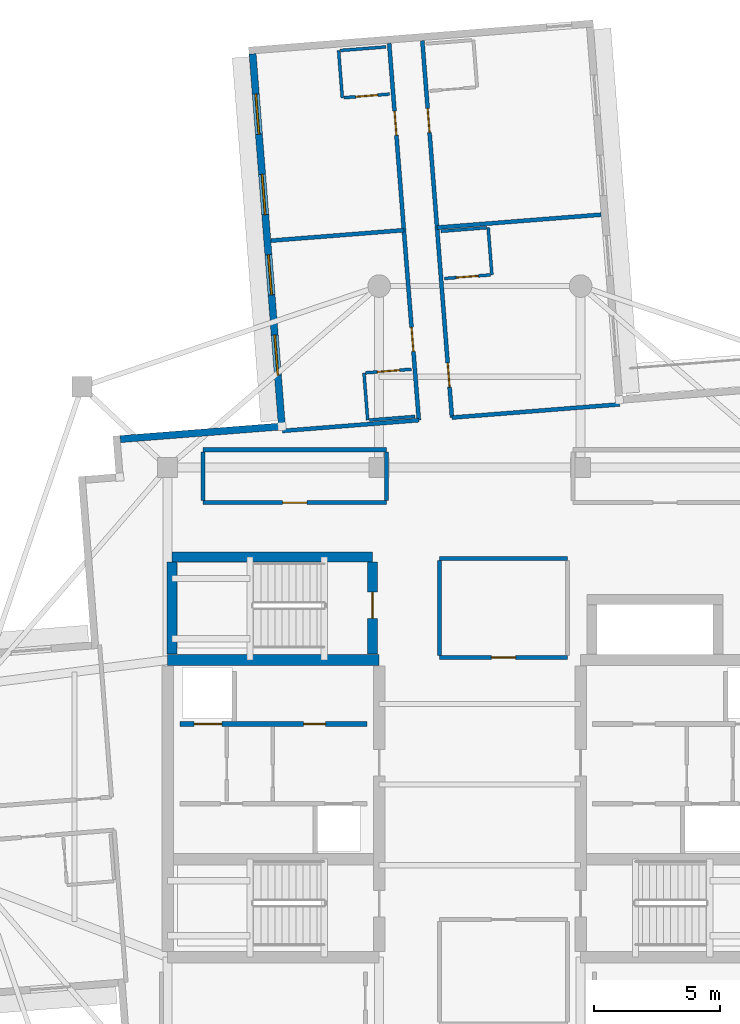
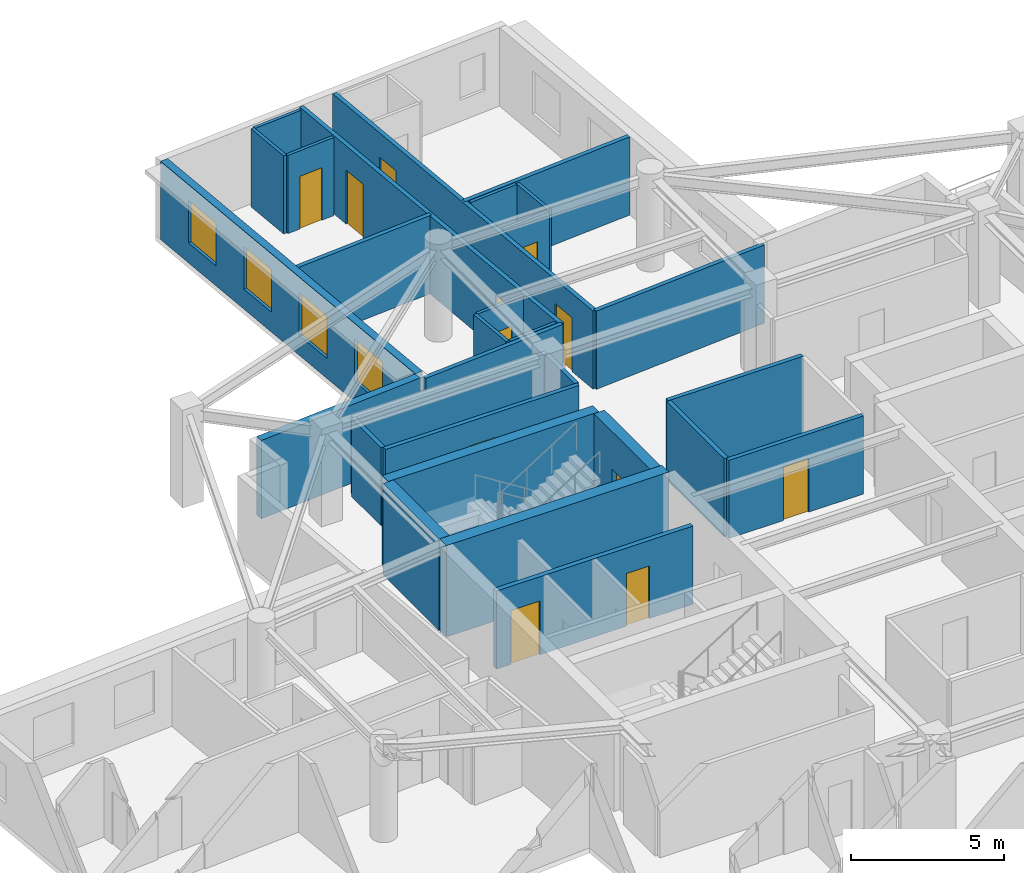
# One storey, part 7 of 13: 29 walls, 12 doors, 4 windows, 16 openings.
"""IFC4 building model written with IfcOpenShell, lengths in metres."""

from ifc_helpers import new_model, si_unit, direction, frame, frame_2d, origin, place, context, subcontext, project, spatial, rectangle, extrude, material, layer, layer_set, type_object, element, fill, save


model = new_model("IFC4")

# Units and contexts
model_context = context("Model", 3, precision=1e-05, world=origin(), true_north=direction((0.0, 1.0)))
body_context = subcontext(model_context, "Body", "Model", "MODEL_VIEW")
ifc_project = project(units=[si_unit("LENGTHUNIT", "METRE"), si_unit("AREAUNIT", "SQUARE_METRE"), si_unit("VOLUMEUNIT", "CUBIC_METRE"), si_unit("PLANEANGLEUNIT", "RADIAN"), si_unit("MASSUNIT", "GRAM", prefix="KILO")], contexts=[model_context])

# Site, building, storey
site_placement = place(None, origin())
site = spatial("IfcSite", under=ifc_project, at=site_placement, CompositionType="ELEMENT")
building_placement = place(site_placement, origin())
building = spatial("IfcBuilding", under=site, at=building_placement, Name="Qingluan Cross Belvedere", CompositionType="ELEMENT")
storey_placement = place(building_placement, frame((0.0, 0.0, 285.0)))
storey = spatial("IfcBuildingStorey", under=building, at=storey_placement, Name="L71", CompositionType="ELEMENT", Elevation=285.0)

# Walls
ifc_material_1 = material(Name="Concrete C50", Category="concrete")
ifc_layer_1 = layer(ifc_material_1, 0.449951171875, Name="CoreShearWall_450")
ifc_layer_set_1 = layer_set([ifc_layer_1], Name="Concrete C50")
wall_type_1 = type_object("IfcWallType", Name="CoreShearWall_450", PredefinedType="SHEAR", material=ifc_layer_set_1)
wall_1_placement = place(storey_placement, frame((-12.39990234375, 4.949951171875, 0.0), z_axis=(0.0, 0.0, 1.0), x_axis=(1.0, 0.0, 0.0)))
element("IfcWall", 1, at=wall_1_placement, inside=storey, type_object=wall_type_1, Name="Split core W shear wall L71-N", PredefinedType="SHEAR", context=body_context, shape_type="SweptSolid", body=[
    extrude(rectangle(XDim=8.39990234375, YDim=0.449951171875, at=frame_2d((4.199951171875, 0.0))), origin(), (0.0, 0.0, 1.0), 3.64990234375),
])
wall_2_placement = place(storey_placement, frame((-12.219970703125, 9.0400390625, 0.0), z_axis=(0.0, 0.0, 1.0), x_axis=(1.0, 0.0, 0.0)))
element("IfcWall", 2, at=wall_2_placement, inside=storey, type_object=wall_type_1, Name="Stair ST3 structural wall N L71", PredefinedType="SHEAR", context=body_context, shape_type="SweptSolid", body=[
    extrude(rectangle(XDim=7.9599609375, YDim=0.39990234375, at=frame_2d((3.97998046875, 0.0))), origin(), (0.0, 0.0, 1.0), 3.64990234375),
])
wall_3_placement = place(storey_placement, frame((-12.219970703125, 5.179931640625, 0.0), z_axis=(0.0, 0.0, 1.0), x_axis=(0.0, 1.0, 0.0)))
element("IfcWall", 3, at=wall_3_placement, inside=storey, type_object=wall_type_1, Name="Stair ST3 structural wall W L71", PredefinedType="SHEAR", context=body_context, shape_type="SweptSolid", body=[
    extrude(rectangle(XDim=3.655029296875, YDim=0.39990234375, at=frame_2d((1.82763671875, 0.0))), origin(), (0.0, 0.0, 1.0), 3.64990234375),
])

# Wall, opening, door
wall_4_placement = place(storey_placement, frame((-4.260009765625, 5.179931640625, 0.0), z_axis=(0.0, 0.0, 1.0), x_axis=(0.0, 1.0, 0.0)))
wall_4 = element("IfcWall", 4, at=wall_4_placement, inside=storey, type_object=wall_type_1, Name="Stair ST3 structural wall E L71", PredefinedType="SHEAR", context=body_context, shape_type="SweptSolid", body=[
    extrude(rectangle(XDim=3.655029296875, YDim=0.39990234375, at=frame_2d((1.82763671875, 0.0))), origin(), (0.0, 0.0, 1.0), 3.64990234375),
])
opening_1_placement = place(wall_4_placement, frame((1.419921875, 0.0, 0.0)))
opening_1 = element("IfcOpeningElement", 5, at=opening_1_placement, cuts=wall_4, Name="Opening FD-B11", PredefinedType="OPENING", context=body_context, shape_type="SweptSolid", body=[
    extrude(rectangle(XDim=1.050048828125, YDim=2.14990234375, at=frame_2d((0.52490234375, 1.074951171875))), frame((0.0, 0.2099609375, 0.0), z_axis=(0.0, -1.0, 0.0), x_axis=(1.0, 0.0, 0.0)), (0.0, 0.0, 1.0), 0.419921875),
])
ifc_material_2 = material(Name="Steel Class B smoke-seal fire door", Category="steel")
door_type_1 = type_object("IfcDoorType", Name="StairLobbyFireDoor_FDB", OperationType="NOTDEFINED", PredefinedType="DOOR", material=ifc_material_2)
door_1_placement = place(opening_1_placement, origin())
door_1 = element("IfcDoor", 6, at=door_1_placement, inside=storey, type_object=door_type_1, Name="Smoke-proof stair ST3 fire door L71", OperationType="SINGLE_SWING_LEFT", OverallHeight=2.14990234375, OverallWidth=1.050048828125, PredefinedType="DOOR", context=body_context, shape_type="SweptSolid", body=[
    extrude(rectangle(XDim=1.050048828125, YDim=2.14990234375, at=frame_2d((0.52490234375, 1.074951171875))), frame((0.0, 0.02490234375, 0.0), z_axis=(0.0, -1.0, 0.0), x_axis=(1.0, 0.0, 0.0)), (0.0, 0.0, 1.0), 0.050048828125),
])
fill(opening_1, door_1)

ifc_material_3 = material(Name="Gypsum plasterboard on steel stud acoustic partition", Category="steel")
ifc_layer_2 = layer(ifc_material_3, 0.159912109375, Name="CorridorPartition_160")
ifc_layer_set_2 = layer_set([ifc_layer_2], Name="Gypsum plasterboard on steel stud acoustic partition")
wall_type_2 = type_object("IfcWallType", Name="CorridorPartition_160", PredefinedType="PARTITIONING", material=ifc_layer_set_2)
wall_5_placement = place(storey_placement, frame((-11.0, 11.199951171875, 0.0), z_axis=(0.0, 0.0, 1.0), x_axis=(1.0, 0.0, 0.0)))
wall_5 = element("IfcWall", 7, at=wall_5_placement, inside=storey, type_object=wall_type_2, Name="Partition L71:q_nw_occ:S", PredefinedType="PARTITIONING", context=body_context, shape_type="SweptSolid", body=[
    extrude(rectangle(XDim=7.300048828125, YDim=0.159912109375, at=frame_2d((3.64990234375, 0.0))), origin(), (0.0, 0.0, 1.0), 3.1201171875),
])
opening_2_placement = place(wall_5_placement, frame((3.169921875, 0.0, 0.0)))
opening_2 = element("IfcOpeningElement", 8, at=opening_2_placement, cuts=wall_5, Name="Opening GD-10", PredefinedType="OPENING", context=body_context, shape_type="SweptSolid", body=[
    extrude(rectangle(XDim=0.9599609375, YDim=2.14990234375, at=frame_2d((0.47998046875, 1.074951171875))), frame((0.0, 0.08984375, 0.0), z_axis=(0.0, -1.0, 0.0), x_axis=(1.0, 0.0, 0.0)), (0.0, 0.0, 1.0), 0.179931640625),
])
ifc_material_4 = material(Name="Timber oak fire-rated acoustic guestroom door", Category="wood")
door_type_2 = type_object("IfcDoorType", Name="GuestEntryDoor_FD60", OperationType="NOTDEFINED", PredefinedType="DOOR", material=ifc_material_4)
door_2_placement = place(opening_2_placement, origin())
door_2 = element("IfcDoor", 9, at=door_2_placement, inside=storey, type_object=door_type_2, Name="Northwest sky reading salon L71 door", OperationType="SINGLE_SWING_RIGHT", OverallHeight=2.14990234375, OverallWidth=0.9599609375, PredefinedType="DOOR", context=body_context, shape_type="SweptSolid", body=[
    extrude(rectangle(XDim=0.9599609375, YDim=2.14990234375, at=frame_2d((0.47998046875, 1.074951171875))), frame((0.0, 0.02490234375, 0.0), z_axis=(0.0, -1.0, 0.0), x_axis=(1.0, 0.0, 0.0)), (0.0, 0.0, 1.0), 0.050048828125),
])
fill(opening_2, door_2)

# Walls
wall_6_placement = place(storey_placement, frame((-11.0, 13.300048828125, 0.0), z_axis=(0.0, 0.0, 1.0), x_axis=(1.0, 0.0, 0.0)))
element("IfcWall", 10, at=wall_6_placement, inside=storey, type_object=wall_type_2, Name="Partition L71:q_nw_occ:N", PredefinedType="PARTITIONING", context=body_context, shape_type="SweptSolid", body=[
    extrude(rectangle(XDim=7.300048828125, YDim=0.159912109375, at=frame_2d((3.64990234375, 0.0))), origin(), (0.0, 0.0, 1.0), 3.1201171875),
])
for number, where, z_axis, x_axis, name in (
    (11, (-11.0, 11.284912109375, 0.0), (0.0, 0.0, 1.0), (0.0, 1.0, 0.0), "Partition L71:q_nw_occ:W"),
    (12, (-3.699951171875, 11.284912109375, 0.0), (0.0, 0.0, 1.0), (0.0, 1.0, 0.0), "Partition L71:q_nw_occ:E"),
):
    element("IfcWall", number, at=place(storey_placement, frame(where, z_axis=z_axis, x_axis=x_axis)), inside=storey, type_object=wall_type_2, Name=name, PredefinedType="PARTITIONING", context=body_context, shape_type="SweptSolid", body=[
        extrude(rectangle(XDim=1.93017578125, YDim=0.159912109375, at=frame_2d((0.965087890625, 0.0))), origin(), (0.0, 0.0, 1.0), 3.1201171875),
    ])

# Wall, opening, door
wall_7_placement = place(storey_placement, frame((-1.60009765625, 5.050048828125, 0.0), z_axis=(0.0, 0.0, 1.0), x_axis=(1.0, 0.0, 0.0)))
wall_7 = element("IfcWall", 13, at=wall_7_placement, inside=storey, type_object=wall_type_2, Name="Partition L71:sky_tea_alcove:S", PredefinedType="PARTITIONING", context=body_context, shape_type="SweptSolid", body=[
    extrude(rectangle(XDim=5.080078125, YDim=0.159912109375, at=frame_2d((2.5400390625, 0.0))), origin(), (0.0, 0.0, 1.0), 3.1201171875),
])
opening_3_placement = place(wall_7_placement, frame((2.06005859375, 0.0, 0.0)))
opening_3 = element("IfcOpeningElement", 14, at=opening_3_placement, cuts=wall_7, Name="Opening GD-10", PredefinedType="OPENING", context=body_context, shape_type="SweptSolid", body=[
    extrude(rectangle(XDim=0.9599609375, YDim=2.14990234375, at=frame_2d((0.47998046875, 1.074951171875))), frame((0.0, 0.08984375, 0.0), z_axis=(0.0, -1.0, 0.0), x_axis=(1.0, 0.0, 0.0)), (0.0, 0.0, 1.0), 0.179931640625),
])
door_3_placement = place(opening_3_placement, origin())
door_3 = element("IfcDoor", 15, at=door_3_placement, inside=storey, type_object=door_type_2, Name="Sky horizon tea salon L71 door", OperationType="SINGLE_SWING_RIGHT", OverallHeight=2.14990234375, OverallWidth=0.9599609375, PredefinedType="DOOR", context=body_context, shape_type="SweptSolid", body=[
    extrude(rectangle(XDim=0.9599609375, YDim=2.14990234375, at=frame_2d((0.47998046875, 1.074951171875))), frame((0.0, 0.02490234375, 0.0), z_axis=(0.0, -1.0, 0.0), x_axis=(1.0, 0.0, 0.0)), (0.0, 0.0, 1.0), 0.050048828125),
])
fill(opening_3, door_3)

# Walls
wall_8_placement = place(storey_placement, frame((-1.60009765625, 8.97998046875, 0.0), z_axis=(0.0, 0.0, 1.0), x_axis=(1.0, 0.0, 0.0)))
element("IfcWall", 16, at=wall_8_placement, inside=storey, type_object=wall_type_2, Name="Partition L71:sky_tea_alcove:N", PredefinedType="PARTITIONING", context=body_context, shape_type="SweptSolid", body=[
    extrude(rectangle(XDim=5.080078125, YDim=0.159912109375, at=frame_2d((2.5400390625, 0.0))), origin(), (0.0, 0.0, 1.0), 3.1201171875),
])
wall_9_placement = place(storey_placement, frame((-1.60009765625, 5.135009765625, 0.0), z_axis=(0.0, 0.0, 1.0), x_axis=(0.0, 1.0, 0.0)))
element("IfcWall", 17, at=wall_9_placement, inside=storey, type_object=wall_type_2, Name="Partition L71:sky_tea_alcove:W", PredefinedType="PARTITIONING", context=body_context, shape_type="SweptSolid", body=[
    extrude(rectangle(XDim=3.760009765625, YDim=0.159912109375, at=frame_2d((1.8798828125, 0.0))), origin(), (0.0, 0.0, 1.0), 3.1201171875),
])

# Wall, openings, doors
wall_10_placement = place(storey_placement, frame((-1.107177734375, 14.578125, 0.0), z_axis=(0.0, 0.0, 1.0), x_axis=(-0.078453666116, 0.996917761038, 0.0)))
wall_10 = element("IfcWall", 18, at=wall_10_placement, inside=storey, type_object=wall_type_2, Name="Partition L71:N:c0", PredefinedType="PARTITIONING", context=body_context, shape_type="SweptSolid", body=[
    extrude(rectangle(XDim=15.011962890625, YDim=0.159912109375, at=frame_2d((7.505859375, 0.0))), origin(), (0.0, 0.0, 1.0), 3.1201171875),
])
opening_4_placement = place(wall_10_placement, frame((1.214111328125, 0.0, 0.0)))
opening_4 = element("IfcOpeningElement", 19, at=opening_4_placement, cuts=wall_10, Name="Opening GD-10", PredefinedType="OPENING", context=body_context, shape_type="SweptSolid", body=[
    extrude(rectangle(XDim=0.9599609375, YDim=2.14990234375, at=frame_2d((0.47998046875, 1.074951171875))), frame((0.0, 0.08984375, 0.0), z_axis=(0.0, -1.0, 0.0), x_axis=(1.0, 0.0, 0.0)), (0.0, 0.0, 1.0), 0.179931640625),
])
opening_5_placement = place(wall_10_placement, frame((11.35302734375, 0.0, 0.0)))
opening_5 = element("IfcOpeningElement", 20, at=opening_5_placement, cuts=wall_10, Name="Opening GD-10", PredefinedType="OPENING", context=body_context, shape_type="SweptSolid", body=[
    extrude(rectangle(XDim=0.9599609375, YDim=2.14990234375, at=frame_2d((0.47998046875, 1.074951171875))), frame((0.0, 0.08984375, 0.0), z_axis=(0.0, -1.0, 0.0), x_axis=(1.0, 0.0, 0.0)), (0.0, 0.0, 1.0), 0.179931640625),
])
door_4_placement = place(opening_4_placement, origin())
door_4 = element("IfcDoor", 21, at=door_4_placement, inside=storey, type_object=door_type_2, Name="Guest entry fire door 7109", OperationType="SINGLE_SWING_RIGHT", OverallHeight=2.14990234375, OverallWidth=0.9599609375, PredefinedType="DOOR", context=body_context, shape_type="SweptSolid", body=[
    extrude(rectangle(XDim=0.9599609375, YDim=2.14990234375, at=frame_2d((0.47998046875, 1.074951171875))), frame((0.0, 0.02490234375, 0.0), z_axis=(0.0, -1.0, 0.0), x_axis=(1.0, 0.0, 0.0)), (0.0, 0.0, 1.0), 0.050048828125),
])
fill(opening_4, door_4)
door_5_placement = place(opening_5_placement, origin())
door_5 = element("IfcDoor", 22, at=door_5_placement, inside=storey, type_object=door_type_2, Name="Guest entry fire door 7110", OperationType="SINGLE_SWING_RIGHT", OverallHeight=2.14990234375, OverallWidth=0.9599609375, PredefinedType="DOOR", context=body_context, shape_type="SweptSolid", body=[
    extrude(rectangle(XDim=0.9599609375, YDim=2.14990234375, at=frame_2d((0.47998046875, 1.074951171875))), frame((0.0, 0.02490234375, 0.0), z_axis=(0.0, -1.0, 0.0), x_axis=(1.0, 0.0, 0.0)), (0.0, 0.0, 1.0), 0.050048828125),
])
fill(opening_5, door_5)

# Walls
wall_11_placement = place(storey_placement, frame((-1.107177734375, 14.578125, 0.0), z_axis=(0.0, 0.0, 1.0), x_axis=(0.996916608894, 0.07846830514, 0.0)))
element("IfcWall", 23, at=wall_11_placement, inside=storey, type_object=wall_type_2, Name="Partition L71:N:s0", PredefinedType="PARTITIONING", context=body_context, shape_type="SweptSolid", body=[
    extrude(rectangle(XDim=6.679931640625, YDim=0.159912109375, at=frame_2d((3.33984375, 0.0))), origin(), (0.0, 0.0, 1.0), 3.1201171875),
])
wall_12_placement = place(storey_placement, frame((-1.700927734375, 22.122802734375, 0.0), z_axis=(0.0, 0.0, 1.0), x_axis=(0.996917719405, 0.07845419515, 0.0)))
element("IfcWall", 24, at=wall_12_placement, inside=storey, type_object=wall_type_2, Name="Partition L71:N:d0_0", PredefinedType="PARTITIONING", context=body_context, shape_type="SweptSolid", body=[
    extrude(rectangle(XDim=6.53173828125, YDim=0.159912109375, at=frame_2d((3.265869140625, 0.0))), origin(), (0.0, 0.0, 1.0), 3.1201171875),
])

# Wall, openings, doors
wall_13_placement = place(storey_placement, frame((-2.423095703125, 14.474609375, 0.0), z_axis=(0.0, 0.0, 1.0), x_axis=(-0.078469829183, 0.996916488934, 0.0)))
wall_13 = element("IfcWall", 25, at=wall_13_placement, inside=storey, type_object=wall_type_2, Name="Partition L71:N:c1", PredefinedType="PARTITIONING", context=body_context, shape_type="SweptSolid", body=[
    extrude(rectangle(XDim=15.011962890625, YDim=0.159912109375, at=frame_2d((7.505859375, 0.0))), origin(), (0.0, 0.0, 1.0), 3.1201171875),
])
opening_6_placement = place(wall_13_placement, frame((2.737060546875, 0.0, 0.0)))
opening_6 = element("IfcOpeningElement", 26, at=opening_6_placement, cuts=wall_13, Name="Opening GD-10", PredefinedType="OPENING", context=body_context, shape_type="SweptSolid", body=[
    extrude(rectangle(XDim=0.9599609375, YDim=2.14990234375, at=frame_2d((0.47998046875, 1.074951171875))), frame((0.0, 0.08984375, 0.0), z_axis=(0.0, -1.0, 0.0), x_axis=(1.0, 0.0, 0.0)), (0.0, 0.0, 1.0), 0.179931640625),
])
opening_7_placement = place(wall_13_placement, frame((11.35302734375, 0.0, 0.0)))
opening_7 = element("IfcOpeningElement", 27, at=opening_7_placement, cuts=wall_13, Name="Opening GD-10", PredefinedType="OPENING", context=body_context, shape_type="SweptSolid", body=[
    extrude(rectangle(XDim=0.9599609375, YDim=2.14990234375, at=frame_2d((0.47998046875, 1.074951171875))), frame((0.0, 0.08984375, 0.0), z_axis=(0.0, -1.0, 0.0), x_axis=(1.0, 0.0, 0.0)), (0.0, 0.0, 1.0), 0.179931640625),
])
door_6_placement = place(opening_6_placement, origin())
door_6 = element("IfcDoor", 28, at=door_6_placement, inside=storey, type_object=door_type_2, Name="Guest entry fire door 7111", OperationType="SINGLE_SWING_RIGHT", OverallHeight=2.14990234375, OverallWidth=0.9599609375, PredefinedType="DOOR", context=body_context, shape_type="SweptSolid", body=[
    extrude(rectangle(XDim=0.9599609375, YDim=2.14990234375, at=frame_2d((0.47998046875, 1.074951171875))), frame((0.0, 0.02490234375, 0.0), z_axis=(0.0, -1.0, 0.0), x_axis=(1.0, 0.0, 0.0)), (0.0, 0.0, 1.0), 0.050048828125),
])
fill(opening_6, door_6)
door_7_placement = place(opening_7_placement, origin())
door_7 = element("IfcDoor", 29, at=door_7_placement, inside=storey, type_object=door_type_2, Name="Guest entry fire door 7112", OperationType="SINGLE_SWING_RIGHT", OverallHeight=2.14990234375, OverallWidth=0.9599609375, PredefinedType="DOOR", context=body_context, shape_type="SweptSolid", body=[
    extrude(rectangle(XDim=0.9599609375, YDim=2.14990234375, at=frame_2d((0.47998046875, 1.074951171875))), frame((0.0, 0.02490234375, 0.0), z_axis=(0.0, -1.0, 0.0), x_axis=(1.0, 0.0, 0.0)), (0.0, 0.0, 1.0), 0.050048828125),
])
fill(opening_7, door_7)

# Walls
wall_14_placement = place(storey_placement, frame((-2.423095703125, 14.474609375, 0.0), z_axis=(0.0, 0.0, 1.0), x_axis=(-0.996914804862, -0.078491221469, 0.0)))
element("IfcWall", 30, at=wall_14_placement, inside=storey, type_object=wall_type_2, Name="Partition L71:N:s1", PredefinedType="PARTITIONING", context=body_context, shape_type="SweptSolid", body=[
    extrude(rectangle(XDim=5.440185546875, YDim=0.159912109375, at=frame_2d((2.72021484375, 0.0))), origin(), (0.0, 0.0, 1.0), 3.1201171875),
])
wall_15_placement = place(storey_placement, frame((-3.016845703125, 22.019287109375, 0.0), z_axis=(0.0, 0.0, 1.0), x_axis=(-0.996916125428, -0.078474447191, 0.0)))
element("IfcWall", 31, at=wall_15_placement, inside=storey, type_object=wall_type_2, Name="Partition L71:N:d1_0", PredefinedType="PARTITIONING", context=body_context, shape_type="SweptSolid", body=[
    extrude(rectangle(XDim=5.2919921875, YDim=0.159912109375, at=frame_2d((2.64599609375, 0.0))), origin(), (0.0, 0.0, 1.0), 3.1201171875),
])

# Wall, opening, door
ifc_material_5 = material(Name="Moisture-resistant gypsum board lining")
ifc_layer_3 = layer(ifc_material_5, 0.1201171875, Name="EnsuiteWetPartition_120")
ifc_layer_set_3 = layer_set([ifc_layer_3], Name="Moisture-resistant gypsum board lining")
wall_type_3 = type_object("IfcWallType", Name="EnsuiteWetPartition_120", PredefinedType="PARTITIONING", material=ifc_layer_set_3)
wall_16_placement = place(storey_placement, frame((-1.4013671875, 20.10009765625, 0.0), z_axis=(0.0, 0.0, 1.0), x_axis=(0.996916400774, 0.0784709492, 0.0)))
wall_16 = element("IfcWall", 32, at=wall_16_placement, inside=storey, type_object=wall_type_3, Name="Partition L71:N:bs0_0", PredefinedType="PARTITIONING", context=body_context, shape_type="SweptSolid", body=[
    extrude(rectangle(XDim=1.820068359375, YDim=0.1201171875, at=frame_2d((0.91015625, 0.0))), origin(), (0.0, 0.0, 1.0), 3.1201171875),
])
opening_8_placement = place(wall_16_placement, frame((0.469970703125, 0.0, 0.0)))
opening_8 = element("IfcOpeningElement", 33, at=opening_8_placement, cuts=wall_16, Name="Opening BD-09", PredefinedType="OPENING", context=body_context, shape_type="SweptSolid", body=[
    extrude(rectangle(XDim=0.8798828125, YDim=2.10009765625, at=frame_2d((0.43994140625, 1.050048828125))), frame((0.0, 0.070068359375, 0.0), z_axis=(0.0, -1.0, 0.0), x_axis=(1.0, 0.0, 0.0)), (0.0, 0.0, 1.0), 0.14013671875),
])
ifc_material_6 = material(Name="Moisture-sealed timber en-suite door", Category="wood")
door_type_3 = type_object("IfcDoorType", Name="BathroomDoor_880", OperationType="NOTDEFINED", PredefinedType="DOOR", material=ifc_material_6)
door_8_placement = place(opening_8_placement, origin())
door_8 = element("IfcDoor", 34, at=door_8_placement, inside=storey, type_object=door_type_3, Name="Bathroom door 7109", OperationType="SINGLE_SWING_LEFT", OverallHeight=2.10009765625, OverallWidth=0.8798828125, PredefinedType="DOOR", context=body_context, shape_type="SweptSolid", body=[
    extrude(rectangle(XDim=0.8798828125, YDim=2.10009765625, at=frame_2d((0.43994140625, 1.050048828125))), frame((0.0, 0.02490234375, 0.0), z_axis=(0.0, -1.0, 0.0), x_axis=(1.0, 0.0, 0.0)), (0.0, 0.0, 1.0), 0.050048828125),
])
fill(opening_8, door_8)

# Walls
wall_17_placement = place(storey_placement, frame((-1.548828125, 21.97412109375, 0.0), z_axis=(0.0, 0.0, 1.0), x_axis=(0.996915574626, 0.078481444107, 0.0)))
element("IfcWall", 35, at=wall_17_placement, inside=storey, type_object=wall_type_3, Name="Partition L71:N:bw0_0", PredefinedType="PARTITIONING", context=body_context, shape_type="SweptSolid", body=[
    extrude(rectangle(XDim=1.81982421875, YDim=0.1201171875, at=frame_2d((0.909912109375, 0.0))), origin(), (0.0, 0.0, 1.0), 3.1201171875),
])
wall_18_placement = place(storey_placement, frame((0.477783203125, 20.247802734375, 0.0), z_axis=(0.0, 0.0, 1.0), x_axis=(-0.07843418698, 0.996919293781, 0.0)))
element("IfcWall", 36, at=wall_18_placement, inside=storey, type_object=wall_type_3, Name="Partition L71:N:bn0_0", PredefinedType="PARTITIONING", context=body_context, shape_type="SweptSolid", body=[
    extrude(rectangle(XDim=1.880126953125, YDim=0.1201171875, at=frame_2d((0.93994140625, 0.0))), origin(), (0.0, 0.0, 1.0), 3.1201171875),
])

# Wall, opening, door
wall_19_placement = place(storey_placement, frame((-4.537109375, 16.3544921875, 0.0), z_axis=(0.0, 0.0, 1.0), x_axis=(0.996915574626, 0.078481444107, 0.0)))
wall_19 = element("IfcWall", 37, at=wall_19_placement, inside=storey, type_object=wall_type_3, Name="Partition L71:N:bs1_0", PredefinedType="PARTITIONING", context=body_context, shape_type="SweptSolid", body=[
    extrude(rectangle(XDim=1.81982421875, YDim=0.1201171875, at=frame_2d((0.909912109375, 0.0))), origin(), (0.0, 0.0, 1.0), 3.1201171875),
])
opening_9_placement = place(wall_19_placement, frame((0.469970703125, 0.0, 0.0)))
opening_9 = element("IfcOpeningElement", 38, at=opening_9_placement, cuts=wall_19, Name="Opening BD-09", PredefinedType="OPENING", context=body_context, shape_type="SweptSolid", body=[
    extrude(rectangle(XDim=0.8798828125, YDim=2.10009765625, at=frame_2d((0.43994140625, 1.050048828125))), frame((0.0, 0.070068359375, 0.0), z_axis=(0.0, -1.0, 0.0), x_axis=(1.0, 0.0, 0.0)), (0.0, 0.0, 1.0), 0.14013671875),
])
door_9_placement = place(opening_9_placement, origin())
door_9 = element("IfcDoor", 39, at=door_9_placement, inside=storey, type_object=door_type_3, Name="Bathroom door 7111", OperationType="SINGLE_SWING_LEFT", OverallHeight=2.10009765625, OverallWidth=0.8798828125, PredefinedType="DOOR", context=body_context, shape_type="SweptSolid", body=[
    extrude(rectangle(XDim=0.8798828125, YDim=2.10009765625, at=frame_2d((0.43994140625, 1.050048828125))), frame((0.0, 0.02490234375, 0.0), z_axis=(0.0, -1.0, 0.0), x_axis=(1.0, 0.0, 0.0)), (0.0, 0.0, 1.0), 0.050048828125),
])
fill(opening_9, door_9)

# Walls
wall_20_placement = place(storey_placement, frame((-4.3896484375, 14.480224609375, 0.0), z_axis=(0.0, 0.0, 1.0), x_axis=(0.996916400774, 0.0784709492, 0.0)))
element("IfcWall", 40, at=wall_20_placement, inside=storey, type_object=wall_type_3, Name="Partition L71:N:bw1_0", PredefinedType="PARTITIONING", context=body_context, shape_type="SweptSolid", body=[
    extrude(rectangle(XDim=1.820068359375, YDim=0.1201171875, at=frame_2d((0.91015625, 0.0))), origin(), (0.0, 0.0, 1.0), 3.1201171875),
])
wall_21_placement = place(storey_placement, frame((-4.454345703125, 14.47509765625, 0.0), z_axis=(0.0, 0.0, 1.0), x_axis=(-0.07843418698, 0.996919293781, 0.0)))
element("IfcWall", 41, at=wall_21_placement, inside=storey, type_object=wall_type_3, Name="Partition L71:N:bc1_0", PredefinedType="PARTITIONING", context=body_context, shape_type="SweptSolid", body=[
    extrude(rectangle(XDim=1.880126953125, YDim=0.1201171875, at=frame_2d((0.93994140625, 0.0))), origin(), (0.0, 0.0, 1.0), 3.1201171875),
])

# Wall, opening, door
wall_22_placement = place(storey_placement, frame((-5.397216796875, 27.280517578125, 0.0), z_axis=(0.0, 0.0, 1.0), x_axis=(0.996916400774, 0.0784709492, 0.0)))
wall_22 = element("IfcWall", 42, at=wall_22_placement, inside=storey, type_object=wall_type_3, Name="Partition L71:N:bs1_1", PredefinedType="PARTITIONING", context=body_context, shape_type="SweptSolid", body=[
    extrude(rectangle(XDim=1.820068359375, YDim=0.1201171875, at=frame_2d((0.91015625, 0.0))), origin(), (0.0, 0.0, 1.0), 3.1201171875),
])
opening_10_placement = place(wall_22_placement, frame((0.469970703125, 0.0, 0.0)))
opening_10 = element("IfcOpeningElement", 43, at=opening_10_placement, cuts=wall_22, Name="Opening BD-09", PredefinedType="OPENING", context=body_context, shape_type="SweptSolid", body=[
    extrude(rectangle(XDim=0.8798828125, YDim=2.10009765625, at=frame_2d((0.43994140625, 1.050048828125))), frame((0.0, 0.070068359375, 0.0), z_axis=(0.0, -1.0, 0.0), x_axis=(1.0, 0.0, 0.0)), (0.0, 0.0, 1.0), 0.14013671875),
])
door_10_placement = place(opening_10_placement, origin())
door_10 = element("IfcDoor", 44, at=door_10_placement, inside=storey, type_object=door_type_3, Name="Bathroom door 7112", OperationType="SINGLE_SWING_LEFT", OverallHeight=2.10009765625, OverallWidth=0.8798828125, PredefinedType="DOOR", context=body_context, shape_type="SweptSolid", body=[
    extrude(rectangle(XDim=0.8798828125, YDim=2.10009765625, at=frame_2d((0.43994140625, 1.050048828125))), frame((0.0, 0.02490234375, 0.0), z_axis=(0.0, -1.0, 0.0), x_axis=(1.0, 0.0, 0.0)), (0.0, 0.0, 1.0), 0.050048828125),
])
fill(opening_10, door_10)

# Walls
wall_23_placement = place(storey_placement, frame((-5.544677734375, 29.15478515625, 0.0), z_axis=(0.0, 0.0, 1.0), x_axis=(0.996916400774, 0.0784709492, 0.0)))
element("IfcWall", 45, at=wall_23_placement, inside=storey, type_object=wall_type_3, Name="Partition L71:N:bw1_1", PredefinedType="PARTITIONING", context=body_context, shape_type="SweptSolid", body=[
    extrude(rectangle(XDim=1.820068359375, YDim=0.1201171875, at=frame_2d((0.91015625, 0.0))), origin(), (0.0, 0.0, 1.0), 3.1201171875),
])
wall_24_placement = place(storey_placement, frame((-5.4619140625, 27.275390625, 0.0), z_axis=(0.0, 0.0, 1.0), x_axis=(-0.078424034367, 0.996920092502, 0.0)))
element("IfcWall", 46, at=wall_24_placement, inside=storey, type_object=wall_type_3, Name="Partition L71:N:bc1_1", PredefinedType="PARTITIONING", context=body_context, shape_type="SweptSolid", body=[
    extrude(rectangle(XDim=1.88037109375, YDim=0.1201171875, at=frame_2d((0.940185546875, 0.0))), origin(), (0.0, 0.0, 1.0), 3.1201171875),
])

# Wall, openings, windows
ifc_material_7 = material(Name="Precast concrete C45", Category="concrete")
ifc_layer_4 = layer(ifc_material_7, 0.280029296875, Name="PrecastFacadeWall_280")
ifc_layer_set_4 = layer_set([ifc_layer_4], Name="Precast concrete C45")
wall_type_4 = type_object("IfcWallType", Name="PrecastFacadeWall_280", PredefinedType="STANDARD", material=ifc_layer_set_4)
wall_25_placement = place(storey_placement, frame((-9.02490234375, 29.021484375, 0.0), z_axis=(0.0, 0.0, 1.0), x_axis=(0.078456642068, -0.996917526837, 0.0)))
wall_25 = element("IfcWall", 47, at=wall_25_placement, inside=storey, type_object=wall_type_4, Name="Facade wall L71-NB", PredefinedType="STANDARD", context=body_context, shape_type="SweptSolid", body=[
    extrude(rectangle(XDim=14.7001953125, YDim=0.280029296875, at=frame_2d((7.35009765625, 0.0))), origin(), (0.0, 0.0, 1.0), 3.1298828125),
])
opening_11_placement = place(wall_25_placement, frame((1.60009765625, 0.0, 0.800048828125)))
opening_11 = element("IfcOpeningElement", 48, at=opening_11_placement, cuts=wall_25, Name="Opening W-04", PredefinedType="OPENING", context=body_context, shape_type="SweptSolid", body=[
    extrude(rectangle(XDim=1.60009765625, YDim=1.699951171875, at=frame_2d((0.800048828125, 0.85009765625))), frame((0.0, 0.14990234375, 0.0), z_axis=(0.0, -1.0, 0.0), x_axis=(1.0, 0.0, 0.0)), (0.0, 0.0, 1.0), 0.300048828125),
])
opening_12_placement = place(wall_25_placement, frame((4.800048828125, 0.0, 0.800048828125)))
opening_12 = element("IfcOpeningElement", 49, at=opening_12_placement, cuts=wall_25, Name="Opening W-04", PredefinedType="OPENING", context=body_context, shape_type="SweptSolid", body=[
    extrude(rectangle(XDim=1.60009765625, YDim=1.699951171875, at=frame_2d((0.800048828125, 0.85009765625))), frame((0.0, 0.14990234375, 0.0), z_axis=(0.0, -1.0, 0.0), x_axis=(1.0, 0.0, 0.0)), (0.0, 0.0, 1.0), 0.300048828125),
])
opening_13_placement = place(wall_25_placement, frame((8.0, 0.0, 0.800048828125)))
opening_13 = element("IfcOpeningElement", 50, at=opening_13_placement, cuts=wall_25, Name="Opening W-04", PredefinedType="OPENING", context=body_context, shape_type="SweptSolid", body=[
    extrude(rectangle(XDim=1.60009765625, YDim=1.699951171875, at=frame_2d((0.800048828125, 0.85009765625))), frame((0.0, 0.14990234375, 0.0), z_axis=(0.0, -1.0, 0.0), x_axis=(1.0, 0.0, 0.0)), (0.0, 0.0, 1.0), 0.300048828125),
])
opening_14_placement = place(wall_25_placement, frame((11.199951171875, 0.0, 0.800048828125)))
opening_14 = element("IfcOpeningElement", 51, at=opening_14_placement, cuts=wall_25, Name="Opening W-04", PredefinedType="OPENING", context=body_context, shape_type="SweptSolid", body=[
    extrude(rectangle(XDim=1.60009765625, YDim=1.699951171875, at=frame_2d((0.800048828125, 0.85009765625))), frame((0.0, 0.14990234375, 0.0), z_axis=(0.0, -1.0, 0.0), x_axis=(1.0, 0.0, 0.0)), (0.0, 0.0, 1.0), 0.300048828125),
])
ifc_material_8 = material(Name="Thermally broken triple Low-E glass in aluminium frame", Category="aluminium")
window_type = type_object("IfcWindowType", Name="SuiteCornerWin_1600x1700", PartitioningType="SINGLE_PANEL", PredefinedType="WINDOW", material=ifc_material_8)
window_1_placement = place(opening_11_placement, origin())
window_1 = element("IfcWindow", 52, at=window_1_placement, inside=storey, type_object=window_type, Name="Ribbon window L71-NB-1", OverallHeight=1.699951171875, OverallWidth=1.60009765625, PartitioningType="SINGLE_PANEL", PredefinedType="WINDOW", context=body_context, shape_type="SweptSolid", body=[
    extrude(rectangle(XDim=1.60009765625, YDim=1.699951171875, at=frame_2d((0.800048828125, 0.85009765625))), frame((0.0, 0.030029296875, 0.0), z_axis=(0.0, -1.0, 0.0), x_axis=(1.0, 0.0, 0.0)), (0.0, 0.0, 1.0), 0.06005859375),
])
fill(opening_11, window_1)
window_2_placement = place(opening_12_placement, origin())
window_2 = element("IfcWindow", 53, at=window_2_placement, inside=storey, type_object=window_type, Name="Ribbon window L71-NB-2", OverallHeight=1.699951171875, OverallWidth=1.60009765625, PartitioningType="SINGLE_PANEL", PredefinedType="WINDOW", context=body_context, shape_type="SweptSolid", body=[
    extrude(rectangle(XDim=1.60009765625, YDim=1.699951171875, at=frame_2d((0.800048828125, 0.85009765625))), frame((0.0, 0.030029296875, 0.0), z_axis=(0.0, -1.0, 0.0), x_axis=(1.0, 0.0, 0.0)), (0.0, 0.0, 1.0), 0.06005859375),
])
fill(opening_12, window_2)
window_3_placement = place(opening_13_placement, origin())
window_3 = element("IfcWindow", 54, at=window_3_placement, inside=storey, type_object=window_type, Name="Ribbon window L71-NB-3", OverallHeight=1.699951171875, OverallWidth=1.60009765625, PartitioningType="SINGLE_PANEL", PredefinedType="WINDOW", context=body_context, shape_type="SweptSolid", body=[
    extrude(rectangle(XDim=1.60009765625, YDim=1.699951171875, at=frame_2d((0.800048828125, 0.85009765625))), frame((0.0, 0.030029296875, 0.0), z_axis=(0.0, -1.0, 0.0), x_axis=(1.0, 0.0, 0.0)), (0.0, 0.0, 1.0), 0.06005859375),
])
fill(opening_13, window_3)
window_4_placement = place(opening_14_placement, origin())
window_4 = element("IfcWindow", 55, at=window_4_placement, inside=storey, type_object=window_type, Name="Ribbon window L71-NB-4", OverallHeight=1.699951171875, OverallWidth=1.60009765625, PartitioningType="SINGLE_PANEL", PredefinedType="WINDOW", context=body_context, shape_type="SweptSolid", body=[
    extrude(rectangle(XDim=1.60009765625, YDim=1.699951171875, at=frame_2d((0.800048828125, 0.85009765625))), frame((0.0, 0.030029296875, 0.0), z_axis=(0.0, -1.0, 0.0), x_axis=(1.0, 0.0, 0.0)), (0.0, 0.0, 1.0), 0.06005859375),
])
fill(opening_14, window_4)

# Wall
wall_26_placement = place(storey_placement, frame((-14.280517578125, 13.721923828125, 0.0), z_axis=(0.0, 0.0, 1.0), x_axis=(0.99691915642, 0.078435932851, 0.0)))
element("IfcWall", 56, at=wall_26_placement, inside=storey, type_object=wall_type_4, Name="Corner wall L71-NW4", PredefinedType="STANDARD", context=body_context, shape_type="SweptSolid", body=[
    extrude(rectangle(XDim=6.2998046875, YDim=0.280029296875, at=frame_2d((3.14990234375, 0.0))), origin(), (0.0, 0.0, 1.0), 3.1298828125),
])

# Wall, openings, doors
ifc_material_9 = material(Name="Concrete C40", Category="concrete")
ifc_layer_5 = layer(ifc_material_9, 0.219970703125, Name="ShaftEnclosureWall_250")
ifc_layer_set_5 = layer_set([ifc_layer_5], Name="Concrete C40")
wall_type_5 = type_object("IfcWallType", Name="ShaftEnclosureWall_250", PredefinedType="SOLIDWALL", material=ifc_layer_set_5)
wall_27_placement = place(storey_placement, frame((-11.89990234375, 2.409912109375, 0.0), z_axis=(0.0, 0.0, 1.0), x_axis=(1.0, 0.0, 0.0)))
wall_27 = element("IfcWall", 57, at=wall_27_placement, inside=storey, type_object=wall_type_5, Name="Core-W north hoistway wall L71", PredefinedType="SOLIDWALL", context=body_context, shape_type="SweptSolid", body=[
    extrude(rectangle(XDim=7.419921875, YDim=0.179931640625, at=frame_2d((3.7099609375, 0.0))), origin(), (0.0, 0.0, 1.0), 3.1201171875),
])
opening_15_placement = place(wall_27_placement, frame((0.550048828125, 0.0, 0.0)))
opening_15 = element("IfcOpeningElement", 58, at=opening_15_placement, cuts=wall_27, Name="Opening LD-11", PredefinedType="OPENING", context=body_context, shape_type="SweptSolid", body=[
    extrude(rectangle(XDim=1.10009765625, YDim=2.14990234375, at=frame_2d((0.550048828125, 1.074951171875))), frame((0.0, 0.099853515625, 0.0), z_axis=(0.0, -1.0, 0.0), x_axis=(1.0, 0.0, 0.0)), (0.0, 0.0, 1.0), 0.199951171875),
])
opening_16_placement = place(wall_27_placement, frame((4.89990234375, 0.0, 0.0)))
opening_16 = element("IfcOpeningElement", 59, at=opening_16_placement, cuts=wall_27, Name="Opening FD-B10", PredefinedType="OPENING", context=body_context, shape_type="SweptSolid", body=[
    extrude(rectangle(XDim=0.8798828125, YDim=2.10009765625, at=frame_2d((0.43994140625, 1.050048828125))), frame((0.0, 0.099853515625, 0.0), z_axis=(0.0, -1.0, 0.0), x_axis=(1.0, 0.0, 0.0)), (0.0, 0.0, 1.0), 0.199951171875),
])
ifc_material_10 = material(Name="Brushed stainless steel centre-opening lift landing door", Category="steel")
door_type_4 = type_object("IfcDoorType", Name="LiftLandingSlidingDoor_1100", OperationType="DOUBLE_DOOR_SLIDING", PredefinedType="DOOR", material=ifc_material_10)
door_11_placement = place(opening_15_placement, origin())
door_11 = element("IfcDoor", 60, at=door_11_placement, inside=storey, type_object=door_type_4, Name="Lift landing sliding door FL1 L71", OperationType="DOUBLE_DOOR_SLIDING", OverallHeight=2.14990234375, OverallWidth=1.10009765625, PredefinedType="DOOR", context=body_context, shape_type="SweptSolid", body=[
    extrude(rectangle(XDim=1.10009765625, YDim=2.14990234375, at=frame_2d((0.550048828125, 1.074951171875))), frame((0.0, 0.02490234375, 0.0), z_axis=(0.0, -1.0, 0.0), x_axis=(1.0, 0.0, 0.0)), (0.0, 0.0, 1.0), 0.050048828125),
])
fill(opening_15, door_11)
ifc_material_11 = material(Name="Steel Class B service fire door", Category="steel")
door_type_5 = type_object("IfcDoorType", Name="RiserServiceFireDoor_FDB", OperationType="NOTDEFINED", PredefinedType="DOOR", material=ifc_material_11)
door_12_placement = place(opening_16_placement, origin())
door_12 = element("IfcDoor", 61, at=door_12_placement, inside=storey, type_object=door_type_5, Name="Housekeeping supply room door W L71", OperationType="SINGLE_SWING_RIGHT", OverallHeight=2.10009765625, OverallWidth=0.8798828125, PredefinedType="DOOR", context=body_context, shape_type="SweptSolid", body=[
    extrude(rectangle(XDim=0.8798828125, YDim=2.10009765625, at=frame_2d((0.43994140625, 1.050048828125))), frame((0.0, 0.02490234375, 0.0), z_axis=(0.0, -1.0, 0.0), x_axis=(1.0, 0.0, 0.0)), (0.0, 0.0, 1.0), 0.050048828125),
])
fill(opening_16, door_12)

save(model, "model.ifc")
